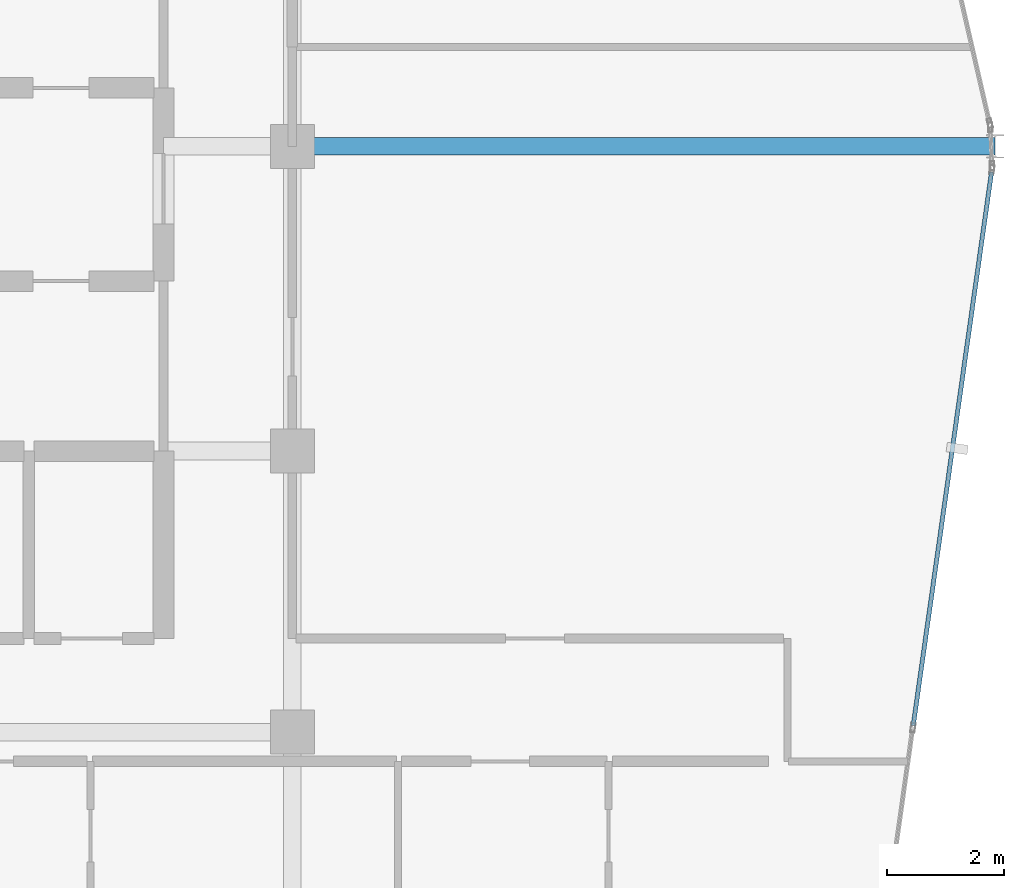
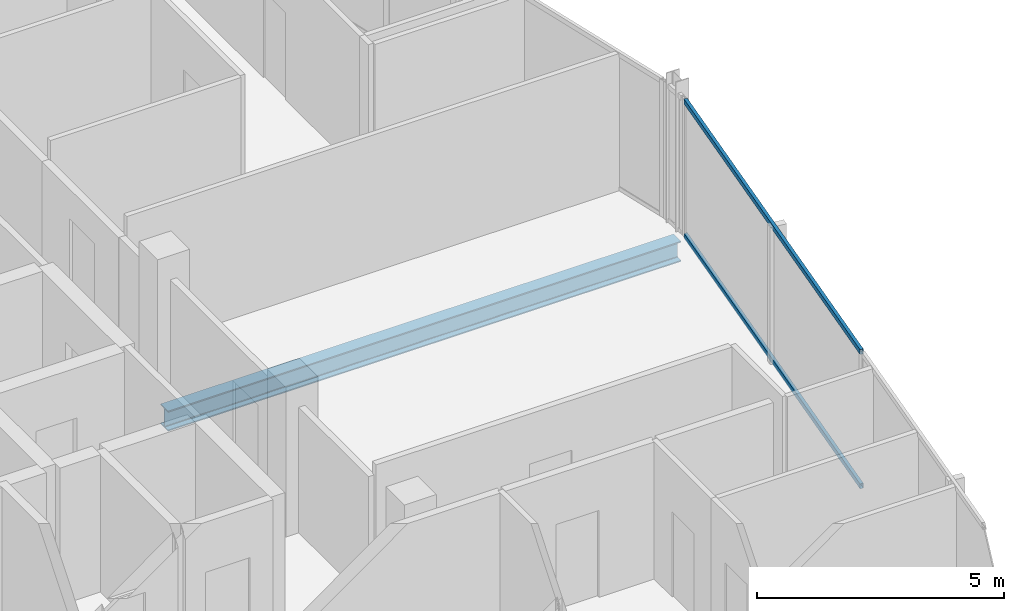
# One storey, part 13 of 28: 2 members, 1 beam, 1 element without a shape of its own.
"""IFC4 building model written with IfcOpenShell, lengths in metres."""

from ifc_helpers import new_model, si_unit, direction, frame, origin, origin_2d, place, context, subcontext, project, spatial, hollow_rectangle, i_section, extrude, material, layer, layer_set, material_profile, profile_set, type_object, element, aggregate, save


model = new_model("IFC4")

# Units and contexts
model_context = context("Model", 3, precision=1e-05, world=origin(), true_north=direction((0.0, 1.0)))
body_context = subcontext(model_context, "Body", "Model", "MODEL_VIEW")
ifc_project = project(units=[si_unit("LENGTHUNIT", "METRE"), si_unit("AREAUNIT", "SQUARE_METRE"), si_unit("VOLUMEUNIT", "CUBIC_METRE"), si_unit("PLANEANGLEUNIT", "RADIAN"), si_unit("MASSUNIT", "GRAM", prefix="KILO")], contexts=[model_context])

# Site, building, storey
site_placement = place(None, origin())
site = spatial("IfcSite", under=ifc_project, at=site_placement, CompositionType="ELEMENT")
building_placement = place(site_placement, origin())
building = spatial("IfcBuilding", under=site, at=building_placement, Name="Keshet Zoharim Tower", CompositionType="ELEMENT")
storey_placement = place(building_placement, frame((0.0, 0.0, 258.39990234375)))
storey = spatial("IfcBuildingStorey", under=building, at=storey_placement, Name="L64", CompositionType="ELEMENT", Elevation=258.39990234375)

# Beam
ifc_material_1 = material(Name="Steel S355", Category="steel")
ifc_material_profile_1 = material_profile(ifc_material_1, i_section(OverallWidth=0.300048828125, OverallDepth=0.5, WebThickness=0.014404296875, FlangeThickness=0.028076171875, FilletRadius=0.027099609375, at=origin_2d()), Name="HEB500")
ifc_profile_set_1 = profile_set([ifc_material_profile_1], Name="Steel S355")
beam_type = type_object("IfcBeamType", Name="BM-MED-HB500", PredefinedType="BEAM", material=ifc_profile_set_1)
beam_placement = place(storey_placement, frame((33.0, 27.89990234375, -0.559814453125), z_axis=(1.0, 0.0, 0.0), x_axis=(0.0, 1.0, 0.0)))
element("IfcBeam", 1, at=beam_placement, inside=storey, type_object=beam_type, Name="L64 Primary Girder X-007", PredefinedType="BEAM", context=body_context, shape_type="SweptSolid", body=[
    extrude(i_section(OverallWidth=0.300048828125, OverallDepth=0.5, WebThickness=0.014404296875, FlangeThickness=0.028076171875, FilletRadius=0.027099609375, at=origin_2d()), origin(), (0.0, 0.0, 1.0), 12.0),
])

# Curtain wall, members
ifc_material_2 = material(Name="Aluminium 6063-T6", Category="aluminium")
ifc_layer = layer(ifc_material_2, 0.260009765625)
ifc_layer_set = layer_set([ifc_layer], Name="Aluminium 6063-T6")
curtain_wall_type = type_object("IfcCurtainWallType", Name="CW-SYS-06", PredefinedType="NOTDEFINED", material=ifc_layer_set)
curtain_wall_placement = place(storey_placement, origin())
curtain_wall = element("IfcCurtainWall", 2, at=curtain_wall_placement, inside=storey, type_object=curtain_wall_type, Name="L64 Unitised Curtain Wall 11", PredefinedType="NOTDEFINED")
ifc_material_profile_2 = material_profile(ifc_material_2, hollow_rectangle(XDim=0.074951171875, YDim=0.1201171875, WallThickness=0.00390625, at=origin_2d()), Name="TRN-75x120")
ifc_profile_set_2 = profile_set([ifc_material_profile_2], Name="Aluminium 6063-T6")
member_type = type_object("IfcMemberType", Name="CWT-T12", PredefinedType="USERDEFINED", material=ifc_profile_set_2)
member_1_placement = place(storey_placement, frame((44.938232421875, 27.462646484375, 0.03515625), z_axis=(-0.140150169695, -0.990130259074, 0.0), x_axis=(0.990130259074, -0.140150169695, 0.0)))
member_1 = element("IfcMember", 3, at=member_1_placement, type_object=member_type, Name="CW-06 transom 1.1", ObjectType="TRANSOM", PredefinedType="USERDEFINED", context=body_context, shape_type="SweptSolid", body=[
    extrude(hollow_rectangle(XDim=0.074951171875, YDim=0.1201171875, WallThickness=0.00390625, at=origin_2d()), origin(), (0.0, 0.0, 1.0), 9.546142578125),
])
member_2_placement = place(storey_placement, frame((44.938232421875, 27.462646484375, 3.35498046875), z_axis=(-0.140150169695, -0.990130259074, 0.0), x_axis=(0.990130259074, -0.140150169695, 0.0)))
member_2 = element("IfcMember", 4, at=member_2_placement, type_object=member_type, Name="CW-06 transom 1.2", ObjectType="TRANSOM", PredefinedType="USERDEFINED", context=body_context, shape_type="SweptSolid", body=[
    extrude(hollow_rectangle(XDim=0.074951171875, YDim=0.1201171875, WallThickness=0.00390625, at=origin_2d()), origin(), (0.0, 0.0, 1.0), 9.546142578125),
])
aggregate(curtain_wall, [member_1, member_2])

save(model, "model.ifc")
